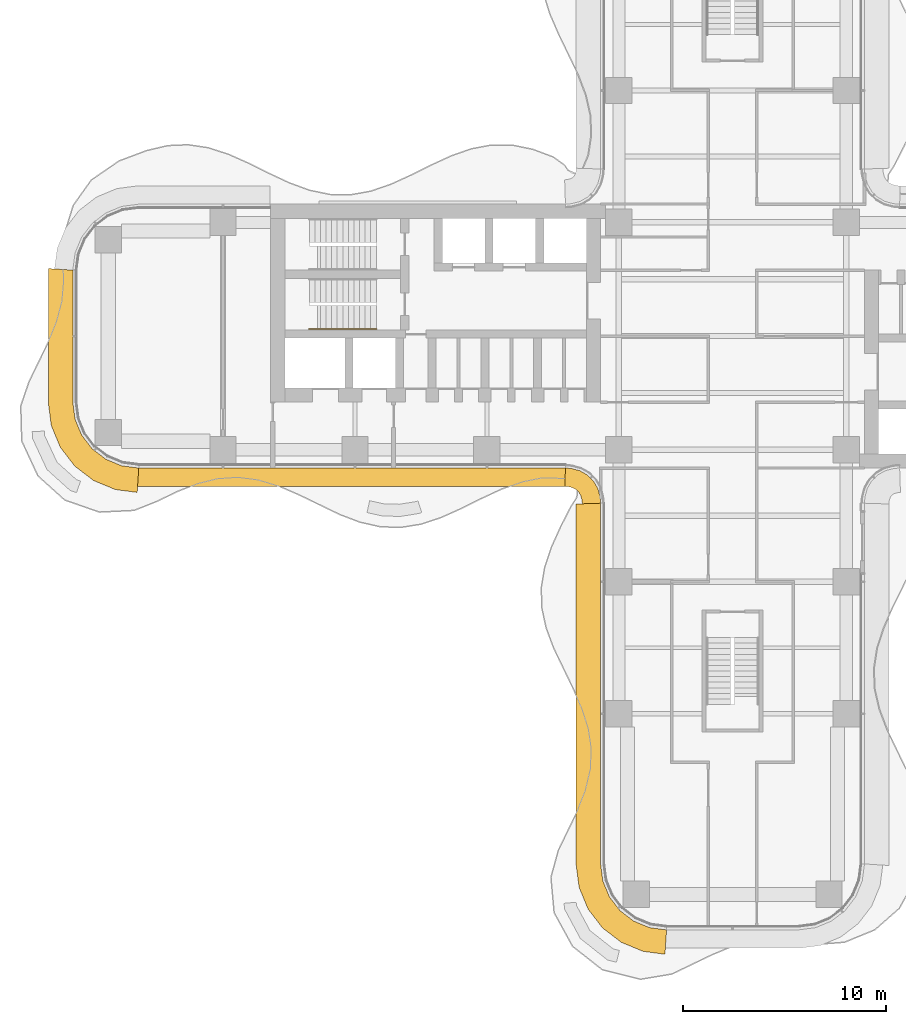
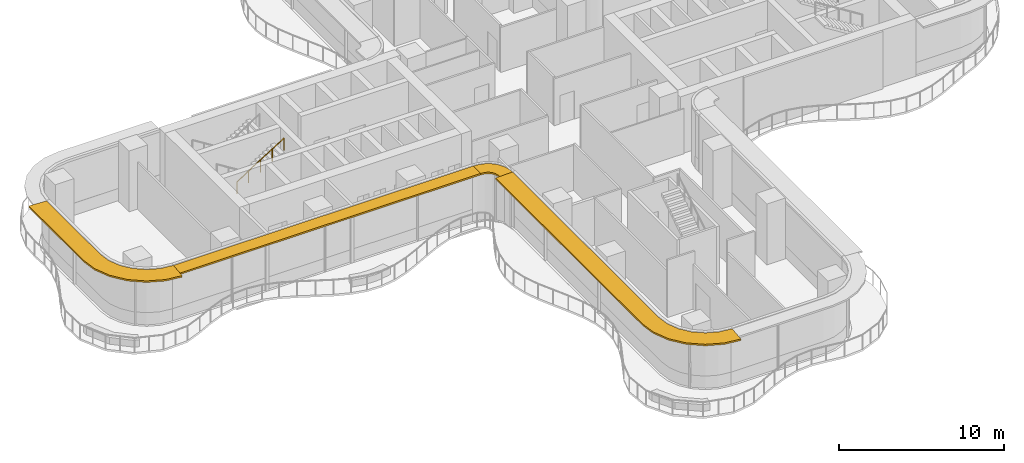
# One storey, part 22 of 23: 4 shading devices, 1 railing.
"""IFC4 building model written with IfcOpenShell, lengths in metres."""

from ifc_helpers import new_model, si_unit, direction, frame, origin, origin_2d, place, context, subcontext, project, spatial, polyline, circle, outline, extrude, source, transform, mapped, material, layer, layer_set, type_object, element, save


model = new_model("IFC4")

# Units and contexts
model_context = context("Model", 3, precision=1e-05, world=origin(), true_north=direction((0.0, 1.0)))
body_context = subcontext(model_context, "Body", "Model", "MODEL_VIEW")
ifc_project = project(units=[si_unit("LENGTHUNIT", "METRE"), si_unit("AREAUNIT", "SQUARE_METRE"), si_unit("VOLUMEUNIT", "CUBIC_METRE"), si_unit("PLANEANGLEUNIT", "RADIAN"), si_unit("MASSUNIT", "GRAM", prefix="KILO")], contexts=[model_context])

# Site, building, storey
site_placement = place(None, origin())
site = spatial("IfcSite", under=ifc_project, at=site_placement, CompositionType="ELEMENT")
building_placement = place(site_placement, origin())
building = spatial("IfcBuilding", under=site, at=building_placement, Name="Trellis Farm Tower", CompositionType="ELEMENT")
storey_placement = place(building_placement, frame((0.0, 0.0, 111.0)))
storey = spatial("IfcBuildingStorey", under=building, at=storey_placement, Name="L23", CompositionType="ELEMENT", Elevation=111.0)

# Railing
ifc_material_1 = material(Name="Stainless steel", Category="steel")
railing_type = type_object("IfcRailingType", Name="STAIR HANDRAIL 900", PredefinedType="HANDRAIL", material=ifc_material_1)
shared_shape_1 = source(origin(), body_context, "Body", "SweptSolid", [
    extrude(circle(Radius=0.02392578125, at=origin_2d()), frame((0.0, 0.0, 0.8759765625), z_axis=(0.846337383501, 0.0, 0.532647194011), x_axis=(0.0, 1.0, 0.0)), (0.0, 0.0, 1.0), 3.899169921875),
    extrude(circle(Radius=0.02099609375, at=origin_2d()), origin(), (0.0, 0.0, 1.0), 0.851806640625),
    extrude(circle(Radius=0.02099609375, at=origin_2d()), frame((0.824951171875, 0.0, 0.519287109375)), (0.0, 0.0, 1.0), 0.851806640625),
    extrude(circle(Radius=0.02099609375, at=origin_2d()), frame((1.64990234375, 0.0, 1.03857421875)), (0.0, 0.0, 1.0), 0.851806640625),
    extrude(circle(Radius=0.02099609375, at=origin_2d()), frame((2.47509765625, 0.0, 1.5576171875)), (0.0, 0.0, 1.0), 0.851806640625),
    extrude(circle(Radius=0.02099609375, at=origin_2d()), frame((3.300048828125, 0.0, 2.076904296875)), (0.0, 0.0, 1.0), 0.851806640625),
])
railing_placement = place(storey_placement, frame((-20.85009765625, 0.35009765625, 2.423095703125)))
element("IfcRailing", 1, at=railing_placement, inside=storey, type_object=railing_type, Name="Stair handrail", PredefinedType="HANDRAIL", context=body_context, shape_type="MappedRepresentation", body=[
    mapped(shared_shape_1, transform((0.0, 0.0, 0.0))),
])

# Shading devices
ifc_material_2 = material(Name="Aluminium extrusion 6063-T6", Category="aluminium")
ifc_layer_1 = layer(ifc_material_2, 0.1201171875)
ifc_layer_set_1 = layer_set([ifc_layer_1], Name="SUNSHADE BLADE 900")
shading_device_type_1 = type_object("IfcShadingDeviceType", Name="SUNSHADE BLADE 900", PredefinedType="USERDEFINED", material=ifc_layer_set_1)
shared_shape_2 = source(origin(), body_context, "Body", "SweptSolid", [
    extrude(outline(polyline([(-29.30908203125, -7.39990234375), (-8.2607421875, -7.39990234375), (-8.2314453125, -6.5), (-29.25, -6.5), (-29.30908203125, -7.39990234375)])), origin(), (0.0, 0.0, 1.0), 0.119873046875),
])
placement = place(storey_placement, frame((0.0, 0.0, 4.090087890625)))
element("IfcShadingDevice", 2, at=placement, inside=storey, type_object=shading_device_type_1, Name="SD1 001", ObjectType="SUNSHADE", PredefinedType="USERDEFINED", context=body_context, shape_type="MappedRepresentation", body=[
    mapped(shared_shape_2, transform((0.0, 0.0, 0.0))),
])
shared_shape_3 = source(origin(), body_context, "Body", "SweptSolid", [
    extrude(outline(polyline([(-8.2607421875, -7.39990234375), (-8.107666015625, -7.409912109375), (-8.091552734375, -7.412109375), (-7.85595703125, -7.475341796875), (-7.697021484375, -7.567138671875), (-7.567138671875, -7.697021484375), (-7.475341796875, -7.85595703125), (-7.412109375, -8.091552734375), (-7.409912109375, -8.107666015625), (-7.39990234375, -8.2607421875), (-6.5, -8.2314453125), (-6.513916015625, -8.01953125), (-6.527587890625, -7.91552734375), (-6.63671875, -7.508544921875), (-6.846923828125, -7.144287109375), (-7.144287109375, -6.846923828125), (-7.508544921875, -6.63671875), (-7.91552734375, -6.527587890625), (-8.01953125, -6.513916015625), (-8.2314453125, -6.5), (-8.2607421875, -7.39990234375)])), origin(), (0.0, 0.0, 1.0), 0.119873046875),
])
element("IfcShadingDevice", 3, at=placement, inside=storey, type_object=shading_device_type_1, Name="SD1 002", ObjectType="SUNSHADE", PredefinedType="USERDEFINED", context=body_context, shape_type="MappedRepresentation", body=[
    mapped(shared_shape_3, transform((0.0, 0.0, 0.0))),
])
ifc_layer_2 = layer(ifc_material_2, 0.1201171875)
ifc_layer_set_2 = layer_set([ifc_layer_2], Name="SUNSHADE BLADE 1200")
shading_device_type_2 = type_object("IfcShadingDeviceType", Name="SUNSHADE BLADE 1200", PredefinedType="USERDEFINED", material=ifc_layer_set_2)
shared_shape_4 = source(origin(), body_context, "Body", "SweptSolid", [
    extrude(outline(polyline([(-7.699951171875, -8.270751953125), (-7.699951171875, -26.07861328125), (-7.558349609375, -27.154541015625), (-7.11279296875, -28.230224609375), (-6.404052734375, -29.154052734375), (-5.480224609375, -29.86279296875), (-4.404541015625, -30.308349609375), (-3.32861328125, -30.449951171875), (-3.25, -29.25), (-4.091064453125, -29.13916015625), (-4.875, -28.814697265625), (-5.548095703125, -28.298095703125), (-6.064697265625, -27.625), (-6.38916015625, -26.841064453125), (-6.5, -26.0), (-6.5, -8.2314453125), (-7.699951171875, -8.270751953125)])), origin(), (0.0, 0.0, 1.0), 0.119873046875),
])
element("IfcShadingDevice", 4, at=placement, inside=storey, type_object=shading_device_type_2, Name="SD2 003", ObjectType="SUNSHADE", PredefinedType="USERDEFINED", context=body_context, shape_type="MappedRepresentation", body=[
    mapped(shared_shape_4, transform((0.0, 0.0, 0.0))),
])
shared_shape_5 = source(origin(), body_context, "Body", "SweptSolid", [
    extrude(outline(polyline([(-33.699951171875, 3.32861328125), (-33.699951171875, -3.32861328125), (-33.558349609375, -4.404541015625), (-33.11279296875, -5.480224609375), (-32.404052734375, -6.404052734375), (-31.480224609375, -7.11279296875), (-30.404541015625, -7.558349609375), (-29.32861328125, -7.699951171875), (-29.25, -6.5), (-30.091064453125, -6.38916015625), (-30.875, -6.064697265625), (-31.548095703125, -5.548095703125), (-32.064697265625, -4.875), (-32.38916015625, -4.091064453125), (-32.5, -3.25), (-32.5, 3.25), (-33.699951171875, 3.32861328125)])), origin(), (0.0, 0.0, 1.0), 0.119873046875),
])
element("IfcShadingDevice", 5, at=placement, inside=storey, type_object=shading_device_type_2, Name="SD2 016", ObjectType="SUNSHADE", PredefinedType="USERDEFINED", context=body_context, shape_type="MappedRepresentation", body=[
    mapped(shared_shape_5, transform((0.0, 0.0, 0.0))),
])

save(model, "model.ifc")
